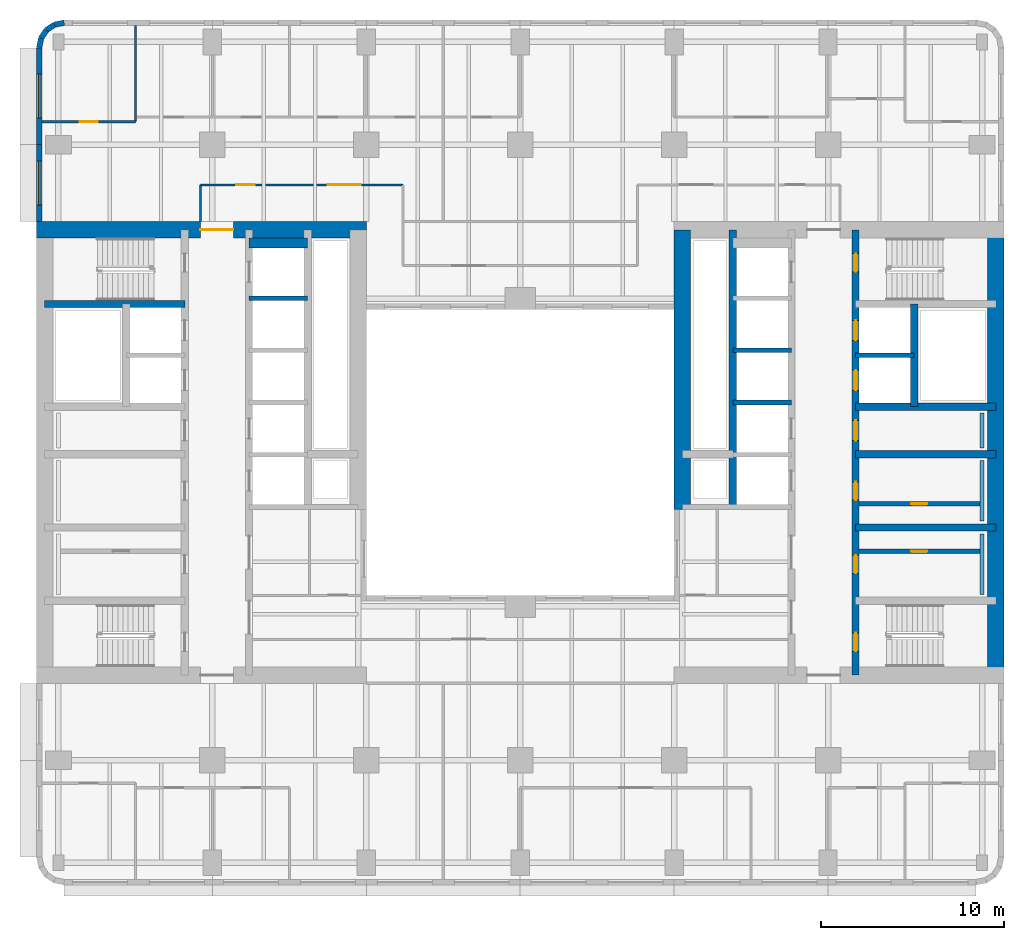
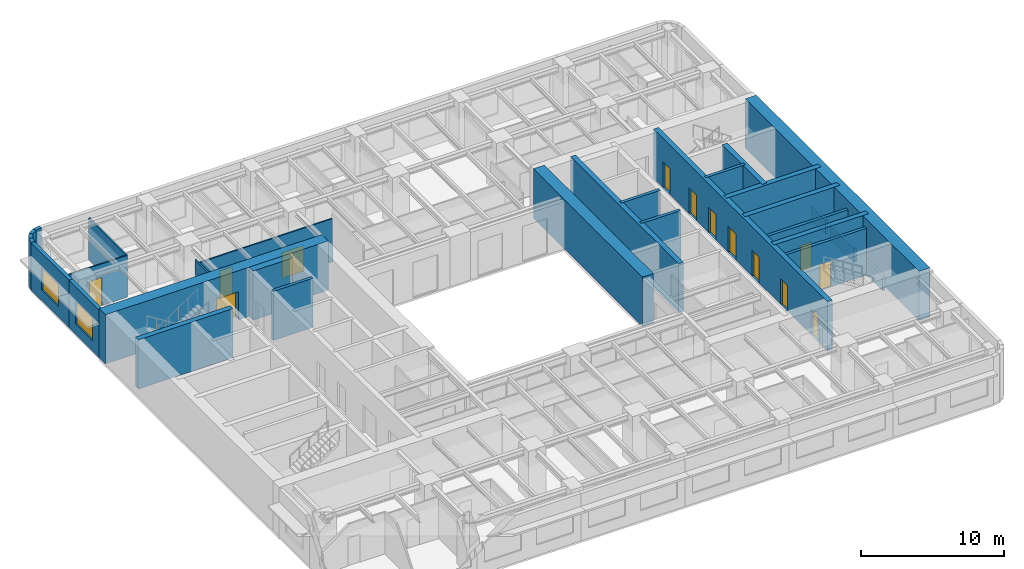
# One storey, part 6 of 11: 30 walls, 13 doors, 2 windows, 15 openings.
"""IFC4 building model written with IfcOpenShell, lengths in metres."""

import ifcopenshell
import ifcopenshell.guid

model = None  # the IFC model being written
_history = None  # IfcOwnerHistory: only IFC2X3 demands one
_inside = {}  # id of a spatial element -> (the spatial element, [elements in it])
_under = {}  # id of a project, library or spatial element -> (it, [spatial elements below it])
_declared = {}  # id of a project -> (the project, [libraries it declares])
_typed = {}  # id of a type object -> (the type object, [elements of that type])
_made_of = {}  # id of a material, layer set ... -> (it, [elements and type objects made of it])


def new_model(schema):
    """Start an empty IFC model of exactly this schema.

    Asked for "IFC4X3", IfcOpenShell would pick the latest addendum, in which some entities
    have other attributes; the version numbers below select the first issue.
    IFC2X3 requires an IfcOwnerHistory on every rooted entity: one is made here for all.
    """
    global model, _history
    if schema == "IFC4X3":
        model = ifcopenshell.file(schema_version=(4, 3, 0, 0))
    else:
        model = ifcopenshell.file(schema=schema)
    _inside.clear()
    _under.clear()
    _declared.clear()
    _typed.clear()
    _made_of.clear()
    _history = None
    if model.schema == "IFC2X3":
        org = make("IfcOrganization", Name="unknown")
        user = make(
            "IfcPersonAndOrganization",
            ThePerson=make("IfcPerson", FamilyName="unknown"),
            TheOrganization=org,
        )
        app = make(
            "IfcApplication",
            ApplicationDeveloper=org,
            Version="unknown",
            ApplicationFullName="unknown",
            ApplicationIdentifier="unknown",
        )
        _history = make(
            "IfcOwnerHistory",
            OwningUser=user,
            OwningApplication=app,
            ChangeAction="ADDED",
            CreationDate=0,
        )
    return model


def make(cls, **values):
    """One entity of the class cls with the attributes given. An attribute that is None is left unset."""
    return model.create_entity(
        cls, **{name: value for name, value in values.items() if value is not None}
    )


def rooted(cls, **values):
    """An entity with a GlobalId (a new one), such as an element, a storey or a relation."""
    return make(cls, GlobalId=ifcopenshell.guid.new(), OwnerHistory=_history, **values)


def si_unit(unit_type, name, prefix=None):
    """IfcSIUnit, for example si_unit("LENGTHUNIT", "METRE", prefix="MILLI")."""
    return make("IfcSIUnit", UnitType=unit_type, Prefix=prefix, Name=name)


def assignment(units):
    """IfcUnitAssignment: the units of a project."""
    return None if units is None else make("IfcUnitAssignment", Units=units)


def point(xyz):
    """IfcCartesianPoint."""
    return None if xyz is None else make("IfcCartesianPoint", Coordinates=xyz)


def direction(xyz):
    """IfcDirection."""
    return None if xyz is None else make("IfcDirection", DirectionRatios=xyz)


def frame(location, z_axis=None, x_axis=None):
    """IfcAxis2Placement3D, a coordinate frame: its origin and axes. An axis left out is left unset."""
    return make(
        "IfcAxis2Placement3D",
        Location=point(location),
        Axis=direction(z_axis),
        RefDirection=direction(x_axis),
    )


def frame_2d(location, x_axis=None):
    """IfcAxis2Placement2D, a coordinate frame in the plane: its origin and x axis."""
    return make(
        "IfcAxis2Placement2D", Location=point(location), RefDirection=direction(x_axis)
    )


def origin():
    """The frame at (0, 0, 0) with its axes left unset."""
    return frame((0.0, 0.0, 0.0))


def place(relative_to, where):
    """IfcLocalPlacement: puts the frame where relative to a parent placement (None: the world)."""
    return make(
        "IfcLocalPlacement", PlacementRelTo=relative_to, RelativePlacement=where
    )


def context(
    kind, dimensions, precision=None, world=None, true_north=None, identifier=None
):
    """IfcGeometricRepresentationContext, for example the 3D "Model" context."""
    return make(
        "IfcGeometricRepresentationContext",
        ContextIdentifier=identifier,
        ContextType=kind,
        CoordinateSpaceDimension=dimensions,
        Precision=precision,
        WorldCoordinateSystem=world,
        TrueNorth=true_north,
    )


def subcontext(parent, identifier, kind, view, scale=None):
    """IfcGeometricRepresentationSubContext, for example "Body" below "Model"."""
    return make(
        "IfcGeometricRepresentationSubContext",
        ContextIdentifier=identifier,
        ContextType=kind,
        ParentContext=parent,
        TargetScale=scale,
        TargetView=view,
    )


def project(units=None, contexts=None):
    """IfcProject with its units and contexts."""
    return rooted(
        "IfcProject",
        Name="project",
        RepresentationContexts=contexts,
        UnitsInContext=assignment(units),
    )


def spatial(cls, under=None, at=None, **own):
    """A site, building, storey or space (cls), placed at a placement, below another one or the project."""
    s = rooted(cls, ObjectPlacement=at, **own)
    if under is not None:
        _under.setdefault(under.id(), (under, []))[1].append(s)
    return s


def profile(cls, at=None, kind="AREA", **sizes):
    """A parametric profile (cls). Its sizes go by their IFC names, for example OverallWidth=200.0."""
    return make(cls, ProfileType=kind, Position=at, **sizes)


def rectangle(**sizes):
    """IfcRectangleProfileDef."""
    return profile("IfcRectangleProfileDef", **sizes)


def extrude(swept, where, along, depth):
    """IfcExtrudedAreaSolid: the profile swept, set in the frame where, extruded along a direction by depth."""
    return make(
        "IfcExtrudedAreaSolid",
        SweptArea=swept,
        Position=where,
        ExtrudedDirection=direction(along),
        Depth=depth,
    )


def shape(context_of_items, identifier, shape_type, items):
    """IfcShapeRepresentation: the items that make up one representation, for example the "Body"."""
    return make(
        "IfcShapeRepresentation",
        ContextOfItems=context_of_items,
        RepresentationIdentifier=identifier,
        RepresentationType=shape_type,
        Items=items,
    )


def material(Name=None, Category=None):
    """IfcMaterial."""
    return make("IfcMaterial", Name=Name, Category=Category)


def layer(
    of_material, thickness, ventilated=None, Name=None, Category=None, Priority=None
):
    """IfcMaterialLayer: one layer of a wall or slab, of a material (None: an air gap)."""
    return make(
        "IfcMaterialLayer",
        Material=of_material,
        LayerThickness=thickness,
        IsVentilated=ventilated,
        Name=Name,
        Category=Category,
        Priority=Priority,
    )


def layer_set(layers, Name=None):
    """IfcMaterialLayerSet."""
    return make("IfcMaterialLayerSet", MaterialLayers=layers, LayerSetName=Name)


def made_of(thing, what):
    """Note that an element or type object is made of a material, layer set ...; save() writes the relation."""
    if what is not None:
        _made_of.setdefault(what.id(), (what, []))[1].append(thing)
    return thing


def type_object(cls, material=None, **own):
    """A type object (cls), such as IfcWallType, which elements share."""
    return made_of(rooted(cls, **own), material)


def element(
    cls,
    number,
    at=None,
    inside=None,
    cuts=None,
    type_object=None,
    material=None,
    context=None,
    identifier="Body",
    shape_type=None,
    held_by="IfcProductDefinitionShape",
    body=None,
    shapes=None,
    **own,
):
    """One element of the class cls, such as IfcWall. Its Tag is "e" and its number.

    at: its placement. inside: the storey or other place that contains it. cuts: it is an
    opening in that element (IfcRelVoidsElement). A single representation is given by context,
    identifier, shape_type and body (its items); several are given by shapes. held_by: the class
    of the entity that holds the representations. save() writes the other relations.
    """
    e = rooted(cls, Tag="e%d" % number, ObjectPlacement=at, **own)
    if body is not None:
        shapes = [shape(context, identifier, shape_type, body)]
    if shapes is not None:
        e.Representation = make(held_by, Representations=shapes)
    if inside is not None:
        _inside.setdefault(inside.id(), (inside, []))[1].append(e)
    if cuts is not None:
        rooted(
            "IfcRelVoidsElement", RelatingBuildingElement=cuts, RelatedOpeningElement=e
        )
    if type_object is not None:
        _typed.setdefault(type_object.id(), (type_object, []))[1].append(e)
    return made_of(e, material)


def fill(opening, filler):
    """IfcRelFillsElement: the door or window that sits in an opening."""
    return rooted(
        "IfcRelFillsElement",
        RelatingOpeningElement=opening,
        RelatedBuildingElement=filler,
    )


def aggregate(whole, parts):
    """IfcRelAggregates: a whole, such as a stair, and the parts it consists of."""
    return rooted("IfcRelAggregates", RelatingObject=whole, RelatedObjects=parts)


def save(model, path):
    """Write the relations noted so far, then the file.

    IfcRelAggregates (storeys below a building ...), IfcRelContainedInSpatialStructure (elements
    in a storey), IfcRelDefinesByType, IfcRelAssociatesMaterial and IfcRelDeclares: one each for
    every whole, place, type object, material and project.
    """
    for whole, parts in _under.values():
        aggregate(whole, parts)
    for where, things in _inside.values():
        rooted(
            "IfcRelContainedInSpatialStructure",
            RelatedElements=things,
            RelatingStructure=where,
        )
    for kind, things in _typed.values():
        rooted("IfcRelDefinesByType", RelatedObjects=things, RelatingType=kind)
    for what, things in _made_of.values():
        rooted("IfcRelAssociatesMaterial", RelatedObjects=things, RelatingMaterial=what)
    for by, libraries in _declared.values():
        rooted("IfcRelDeclares", RelatingContext=by, RelatedDefinitions=libraries)
    model.write(path)


model = new_model("IFC4")

# Units and contexts
model_context = context("Model", 3, precision=1e-05, world=origin(), true_north=direction((0.0, 1.0)))
body_context = subcontext(model_context, "Body", "Model", "MODEL_VIEW")
ifc_project = project(units=[si_unit("LENGTHUNIT", "METRE"), si_unit("AREAUNIT", "SQUARE_METRE"), si_unit("VOLUMEUNIT", "CUBIC_METRE"), si_unit("PLANEANGLEUNIT", "RADIAN"), si_unit("MASSUNIT", "GRAM", prefix="KILO")], contexts=[model_context])

# Site, building, storey
site_placement = place(None, origin())
site = spatial("IfcSite", under=ifc_project, at=site_placement, CompositionType="ELEMENT")
building_placement = place(site_placement, origin())
building = spatial("IfcBuilding", under=site, at=building_placement, Name="Claustro Exchange Tower", CompositionType="ELEMENT")
storey_placement = place(building_placement, frame((0.0, 0.0, 142.800048828125)))
storey = spatial("IfcBuildingStorey", under=building, at=storey_placement, Name="L32", CompositionType="ELEMENT", Elevation=142.800048828125)

# Wall, opening, door
ifc_material_1 = material(Name="Laminated glass in aluminium frame", Category="aluminium")
ifc_layer_1 = layer(ifc_material_1, 0.1201171875)
ifc_layer_set_1 = layer_set([ifc_layer_1], Name="Laminated glass in aluminium frame")
wall_type_1 = type_object("IfcWallType", Name="P2 120 glazed partition", PredefinedType="PARTITIONING", material=ifc_layer_set_1)
wall_1_placement = place(storey_placement, frame((-0.902099609375, 43.25, 0.0), z_axis=(0.0, 0.0, 1.0), x_axis=(1.0, 0.0, 0.0)))
wall_1 = element("IfcWall", 1, at=wall_1_placement, inside=storey, type_object=wall_type_1, Name="Partition P2 L32", PredefinedType="PARTITIONING", context=body_context, shape_type="SweptSolid", body=[
    extrude(rectangle(XDim=5.10205078125, YDim=0.1201171875, at=frame_2d((2.551025390625, 0.0))), origin(), (0.0, 0.0, 1.0), 3.56005859375),
])
opening_1_placement = place(wall_1_placement, frame((2.052001953125, 0.0, 0.0)))
opening_1 = element("IfcOpeningElement", 2, at=opening_1_placement, cuts=wall_1, Name="Opening D7", PredefinedType="OPENING", context=body_context, shape_type="SweptSolid", body=[
    extrude(rectangle(XDim=1.0, YDim=2.39990234375, at=frame_2d((0.5, 1.199951171875))), frame((0.0, 0.070068359375, 0.0), z_axis=(0.0, -1.0, 0.0), x_axis=(1.0, 0.0, 0.0)), (0.0, 0.0, 1.0), 0.14013671875),
])
ifc_material_2 = material(Name="Glass door in aluminium frame", Category="aluminium")
door_type_1 = type_object("IfcDoorType", Name="D7 1000 x 2400 glazed door", OperationType="SINGLE_SWING_LEFT", PredefinedType="DOOR", material=ifc_material_2)
door_1_placement = place(opening_1_placement, origin())
door_1 = element("IfcDoor", 3, at=door_1_placement, inside=storey, type_object=door_type_1, Name="Door D7 L32", OperationType="SINGLE_SWING_RIGHT", OverallHeight=2.39990234375, OverallWidth=1.0, PredefinedType="DOOR", context=body_context, shape_type="SweptSolid", body=[
    extrude(rectangle(XDim=1.0, YDim=2.39990234375, at=frame_2d((0.5, 1.199951171875))), frame((0.0, 0.02490234375, 0.0), z_axis=(0.0, -1.0, 0.0), x_axis=(1.0, 0.0, 0.0)), (0.0, 0.0, 1.0), 0.050048828125),
])
fill(opening_1, door_1)

# Wall
wall_2_placement = place(storey_placement, frame((4.199951171875, 43.25, 0.0), z_axis=(0.0, 0.0, 1.0), x_axis=(0.0, 1.0, 0.0)))
element("IfcWall", 4, at=wall_2_placement, inside=storey, type_object=wall_type_1, Name="Partition P2 L32", PredefinedType="PARTITIONING", context=body_context, shape_type="SweptSolid", body=[
    extrude(rectangle(XDim=5.251953125, YDim=0.1201171875, at=frame_2d((2.6259765625, 0.0))), origin(), (0.0, 0.0, 1.0), 3.56005859375),
])

# Wall, openings, doors
wall_3_placement = place(storey_placement, frame((7.75, 39.800048828125, 0.0), z_axis=(0.0, 0.0, 1.0), x_axis=(1.0, 0.0, 0.0)))
wall_3 = element("IfcWall", 5, at=wall_3_placement, inside=storey, type_object=wall_type_1, Name="Partition P2 L32", PredefinedType="PARTITIONING", context=body_context, shape_type="SweptSolid", body=[
    extrude(rectangle(XDim=11.050048828125, YDim=0.1201171875, at=frame_2d((5.52490234375, 0.0))), origin(), (0.0, 0.0, 1.0), 3.68994140625),
])
opening_2_placement = place(wall_3_placement, frame((1.949951171875, 0.0, 0.0)))
opening_2 = element("IfcOpeningElement", 6, at=opening_2_placement, cuts=wall_3, Name="Opening D7", PredefinedType="OPENING", context=body_context, shape_type="SweptSolid", body=[
    extrude(rectangle(XDim=1.0, YDim=2.39990234375, at=frame_2d((0.5, 1.199951171875))), frame((0.0, 0.070068359375, 0.0), z_axis=(0.0, -1.0, 0.0), x_axis=(1.0, 0.0, 0.0)), (0.0, 0.0, 1.0), 0.14013671875),
])
opening_3_placement = place(wall_3_placement, frame((6.949951171875, 0.0, 0.0)))
opening_3 = element("IfcOpeningElement", 7, at=opening_3_placement, cuts=wall_3, Name="Opening D2", PredefinedType="OPENING", context=body_context, shape_type="SweptSolid", body=[
    extrude(rectangle(XDim=1.800048828125, YDim=2.199951171875, at=frame_2d((0.89990234375, 1.10009765625))), frame((0.0, 0.070068359375, 0.0), z_axis=(0.0, -1.0, 0.0), x_axis=(1.0, 0.0, 0.0)), (0.0, 0.0, 1.0), 0.14013671875),
])
ifc_material_3 = material(Name="Timber door, oak veneer", Category="wood")
door_type_2 = type_object("IfcDoorType", Name="D2 1800 x 2200 double door", OperationType="DOUBLE_DOOR_SINGLE_SWING", PredefinedType="DOOR", material=ifc_material_3)
door_2_placement = place(opening_3_placement, origin())
door_2 = element("IfcDoor", 8, at=door_2_placement, inside=storey, type_object=door_type_2, Name="Double door D2 L32", OperationType="DOUBLE_DOOR_SINGLE_SWING", OverallHeight=2.199951171875, OverallWidth=1.800048828125, PredefinedType="DOOR", context=body_context, shape_type="SweptSolid", body=[
    extrude(rectangle(XDim=1.800048828125, YDim=2.199951171875, at=frame_2d((0.89990234375, 1.10009765625))), frame((0.0, 0.02490234375, 0.0), z_axis=(0.0, -1.0, 0.0), x_axis=(1.0, 0.0, 0.0)), (0.0, 0.0, 1.0), 0.050048828125),
])
fill(opening_3, door_2)
door_3_placement = place(opening_2_placement, origin())
door_3 = element("IfcDoor", 9, at=door_3_placement, inside=storey, type_object=door_type_1, Name="Door D7 L32", OperationType="SINGLE_SWING_LEFT", OverallHeight=2.39990234375, OverallWidth=1.0, PredefinedType="DOOR", context=body_context, shape_type="SweptSolid", body=[
    extrude(rectangle(XDim=1.0, YDim=2.39990234375, at=frame_2d((0.5, 1.199951171875))), frame((0.0, 0.02490234375, 0.0), z_axis=(0.0, -1.0, 0.0), x_axis=(1.0, 0.0, 0.0)), (0.0, 0.0, 1.0), 0.050048828125),
])
fill(opening_2, door_3)

# Wall
wall_4_placement = place(storey_placement, frame((7.75, 37.800048828125, 0.0), z_axis=(0.0, 0.0, 1.0), x_axis=(0.0, 1.0, 0.0)))
element("IfcWall", 10, at=wall_4_placement, inside=storey, type_object=wall_type_1, Name="Partition P2 L32", PredefinedType="PARTITIONING", context=body_context, shape_type="SweptSolid", body=[
    extrude(rectangle(XDim=2.0, YDim=0.1201171875, at=frame_2d((1.0, 0.0))), origin(), (0.0, 0.0, 1.0), 4.050048828125),
])

# Wall, opening, door
ifc_material_4 = material(Name="Concrete blockwork, rendered", Category="masonry")
ifc_layer_2 = layer(ifc_material_4, 0.25)
ifc_layer_set_2 = layer_set([ifc_layer_2], Name="Concrete blockwork, rendered")
wall_type_2 = type_object("IfcWallType", Name="P4 250 blockwork wall", PredefinedType="PARTITIONING", material=ifc_layer_set_2)
wall_5_placement = place(storey_placement, frame((43.699951171875, 22.39990234375, 0.0), z_axis=(0.0, 0.0, 1.0), x_axis=(1.0, 0.0, 0.0)))
wall_5 = element("IfcWall", 11, at=wall_5_placement, inside=storey, type_object=wall_type_2, Name="Partition P4 L32", PredefinedType="PARTITIONING", context=body_context, shape_type="SweptSolid", body=[
    extrude(rectangle(XDim=6.60009765625, YDim=0.25, at=frame_2d((3.300048828125, 0.0))), origin(), (0.0, 0.0, 1.0), 4.0),
])
opening_4_placement = place(wall_5_placement, frame((2.824951171875, 0.0, 0.0)))
opening_4 = element("IfcOpeningElement", 12, at=opening_4_placement, cuts=wall_5, Name="Opening D5", PredefinedType="OPENING", context=body_context, shape_type="SweptSolid", body=[
    extrude(rectangle(XDim=0.89990234375, YDim=2.199951171875, at=frame_2d((0.449951171875, 1.10009765625))), frame((0.0, 0.135009765625, 0.0), z_axis=(0.0, -1.0, 0.0), x_axis=(1.0, 0.0, 0.0)), (0.0, 0.0, 1.0), 0.27001953125),
])
ifc_material_5 = material(Name="Steel door, painted", Category="steel")
door_type_3 = type_object("IfcDoorType", Name="D5 900 x 2200 store door", OperationType="SINGLE_SWING_LEFT", PredefinedType="DOOR", material=ifc_material_5)
door_4_placement = place(opening_4_placement, frame((0.89990234375, 0.0, 0.0), z_axis=(0.0, 0.0, 1.0), x_axis=(-1.0, 0.0, 0.0)))
door_4 = element("IfcDoor", 13, at=door_4_placement, inside=storey, type_object=door_type_3, Name="Store door D5 L32", OperationType="SINGLE_SWING_LEFT", OverallHeight=2.199951171875, OverallWidth=0.89990234375, PredefinedType="DOOR", context=body_context, shape_type="SweptSolid", body=[
    extrude(rectangle(XDim=0.89990234375, YDim=2.199951171875, at=frame_2d((0.449951171875, 1.10009765625))), frame((0.0, 0.02490234375, 0.0), z_axis=(0.0, -1.0, 0.0), x_axis=(1.0, 0.0, 0.0)), (0.0, 0.0, 1.0), 0.050048828125),
])
fill(opening_4, door_4)

wall_6_placement = place(storey_placement, frame((43.699951171875, 19.800048828125, 0.0), z_axis=(0.0, 0.0, 1.0), x_axis=(1.0, 0.0, 0.0)))
wall_6 = element("IfcWall", 14, at=wall_6_placement, inside=storey, type_object=wall_type_2, Name="Partition P4 L32", PredefinedType="PARTITIONING", context=body_context, shape_type="SweptSolid", body=[
    extrude(rectangle(XDim=6.60009765625, YDim=0.25, at=frame_2d((3.300048828125, 0.0))), origin(), (0.0, 0.0, 1.0), 4.0),
])
opening_5_placement = place(wall_6_placement, frame((2.824951171875, 0.0, 0.0)))
opening_5 = element("IfcOpeningElement", 15, at=opening_5_placement, cuts=wall_6, Name="Opening D5", PredefinedType="OPENING", context=body_context, shape_type="SweptSolid", body=[
    extrude(rectangle(XDim=0.89990234375, YDim=2.199951171875, at=frame_2d((0.449951171875, 1.10009765625))), frame((0.0, 0.135009765625, 0.0), z_axis=(0.0, -1.0, 0.0), x_axis=(1.0, 0.0, 0.0)), (0.0, 0.0, 1.0), 0.27001953125),
])
door_5_placement = place(opening_5_placement, origin())
door_5 = element("IfcDoor", 16, at=door_5_placement, inside=storey, type_object=door_type_3, Name="Store door D5 L32", OperationType="SINGLE_SWING_RIGHT", OverallHeight=2.199951171875, OverallWidth=0.89990234375, PredefinedType="DOOR", context=body_context, shape_type="SweptSolid", body=[
    extrude(rectangle(XDim=0.89990234375, YDim=2.199951171875, at=frame_2d((0.449951171875, 1.10009765625))), frame((0.0, 0.02490234375, 0.0), z_axis=(0.0, -1.0, 0.0), x_axis=(1.0, 0.0, 0.0)), (0.0, 0.0, 1.0), 0.050048828125),
])
fill(opening_5, door_5)

# Wall, opening, window
ifc_material_6 = material(Name="Concrete HA-40 (C40/50), precast, white cement, acid-etched", Category="concrete")
ifc_layer_3 = layer(ifc_material_6, 0.300048828125)
ifc_layer_set_3 = layer_set([ifc_layer_3], Name="Concrete HA-40 (C40/50), precast, white cement, acid-etched")
wall_type_3 = type_object("IfcWallType", Name="PC1 300 precast concrete pier panel", PredefinedType="SOLIDWALL", material=ifc_layer_set_3)
wall_7_placement = place(storey_placement, frame((-1.050048828125, 37.800048828125, 0.0), z_axis=(0.0, 0.0, 1.0), x_axis=(0.0, 1.0, 0.0)))
wall_7 = element("IfcWall", 17, at=wall_7_placement, inside=storey, type_object=wall_type_3, Name="Precast pier panel PC1 L32", PredefinedType="SOLIDWALL", context=body_context, shape_type="SweptSolid", body=[
    extrude(rectangle(XDim=4.199951171875, YDim=0.300048828125, at=frame_2d((2.10009765625, 0.0))), origin(), (0.0, 0.0, 1.0), 4.050048828125),
])
opening_6_placement = place(wall_7_placement, frame((0.89990234375, 0.0, 0.89990234375)))
opening_6 = element("IfcOpeningElement", 18, at=opening_6_placement, cuts=wall_7, Name="Opening W2", PredefinedType="OPENING", context=body_context, shape_type="SweptSolid", body=[
    extrude(rectangle(XDim=2.39990234375, YDim=1.89990234375, at=frame_2d((1.199951171875, 0.949951171875))), frame((0.0, 0.159912109375, 0.0), z_axis=(0.0, -1.0, 0.0), x_axis=(1.0, 0.0, 0.0)), (0.0, 0.0, 1.0), 0.320068359375),
])
ifc_material_7 = material(Name="Aluminium frame, clear double glazing", Category="aluminium")
window_type = type_object("IfcWindowType", Name="W2 2400 x 1900 window", PartitioningType="SINGLE_PANEL", PredefinedType="WINDOW", material=ifc_material_7)
window_1_placement = place(opening_6_placement, origin())
window_1 = element("IfcWindow", 19, at=window_1_placement, inside=storey, type_object=window_type, Name="Window W2 L32", OverallHeight=1.89990234375, OverallWidth=2.39990234375, PartitioningType="SINGLE_PANEL", PredefinedType="WINDOW", context=body_context, shape_type="SweptSolid", body=[
    extrude(rectangle(XDim=2.39990234375, YDim=1.89990234375, at=frame_2d((1.199951171875, 0.949951171875))), frame((0.0, 0.030029296875, 0.0), z_axis=(0.0, -1.0, 0.0), x_axis=(1.0, 0.0, 0.0)), (0.0, 0.0, 1.0), 0.06005859375),
])
fill(opening_6, window_1)

wall_8_placement = place(storey_placement, frame((-1.050048828125, 42.0, 0.0), z_axis=(0.0, 0.0, 1.0), x_axis=(0.0, 1.0, 0.0)))
wall_8 = element("IfcWall", 20, at=wall_8_placement, inside=storey, type_object=wall_type_3, Name="Precast pier panel PC1 L32", PredefinedType="SOLIDWALL", context=body_context, shape_type="SweptSolid", body=[
    extrude(rectangle(XDim=5.28515625, YDim=0.300048828125, at=frame_2d((2.642578125, 0.0))), origin(), (0.0, 0.0, 1.0), 4.050048828125),
])
opening_7_placement = place(wall_8_placement, frame((1.442626953125, 0.0, 0.89990234375)))
opening_7 = element("IfcOpeningElement", 21, at=opening_7_placement, cuts=wall_8, Name="Opening W2", PredefinedType="OPENING", context=body_context, shape_type="SweptSolid", body=[
    extrude(rectangle(XDim=2.39990234375, YDim=1.89990234375, at=frame_2d((1.199951171875, 0.949951171875))), frame((0.0, 0.159912109375, 0.0), z_axis=(0.0, -1.0, 0.0), x_axis=(1.0, 0.0, 0.0)), (0.0, 0.0, 1.0), 0.320068359375),
])
window_2_placement = place(opening_7_placement, origin())
window_2 = element("IfcWindow", 22, at=window_2_placement, inside=storey, type_object=window_type, Name="Window W2 L32", OverallHeight=1.89990234375, OverallWidth=2.39990234375, PartitioningType="SINGLE_PANEL", PredefinedType="WINDOW", context=body_context, shape_type="SweptSolid", body=[
    extrude(rectangle(XDim=2.39990234375, YDim=1.89990234375, at=frame_2d((1.199951171875, 0.949951171875))), frame((0.0, 0.030029296875, 0.0), z_axis=(0.0, -1.0, 0.0), x_axis=(1.0, 0.0, 0.0)), (0.0, 0.0, 1.0), 0.06005859375),
])
fill(opening_7, window_2)

# Walls
wall_9_placement = place(storey_placement, frame((-1.050048828125, 47.28515625, 0.0), z_axis=(0.0, 0.0, 1.0), x_axis=(0.195073962632, 0.980788534345, 0.0)))
element("IfcWall", 23, at=wall_9_placement, inside=storey, type_object=wall_type_3, Name="Precast pier panel PC1 L32", PredefinedType="SOLIDWALL", context=body_context, shape_type="SweptSolid", body=[
    extrude(rectangle(XDim=0.540771484375, YDim=0.300048828125, at=frame_2d((0.2705078125, 0.0))), origin(), (0.0, 0.0, 1.0), 4.050048828125),
])
wall_10_placement = place(storey_placement, frame((-0.944580078125, 47.8154296875, 0.0), z_axis=(0.0, 0.0, 1.0), x_axis=(0.55534295404, 0.831621430339, 0.0)))
element("IfcWall", 24, at=wall_10_placement, inside=storey, type_object=wall_type_3, Name="Precast pier panel PC1 L32", PredefinedType="SOLIDWALL", context=body_context, shape_type="SweptSolid", body=[
    extrude(rectangle(XDim=0.52587890625, YDim=0.300048828125, at=frame_2d((0.262939453125, 0.0))), origin(), (0.0, 0.0, 1.0), 4.050048828125),
])
wall_11_placement = place(storey_placement, frame((-0.652587890625, 48.252685546875, 0.0), z_axis=(0.0, 0.0, 1.0), x_axis=(0.831692711774, 0.555236195849, 0.0)))
element("IfcWall", 25, at=wall_11_placement, inside=storey, type_object=wall_type_3, Name="Precast pier panel PC1 L32", PredefinedType="SOLIDWALL", context=body_context, shape_type="SweptSolid", body=[
    extrude(rectangle(XDim=0.525390625, YDim=0.300048828125, at=frame_2d((0.2626953125, 0.0))), origin(), (0.0, 0.0, 1.0), 4.050048828125),
])
wall_12_placement = place(storey_placement, frame((-0.215576171875, 48.54443359375, 0.0), z_axis=(0.0, 0.0, 1.0), x_axis=(0.980788534345, 0.195073962632, 0.0)))
element("IfcWall", 26, at=wall_12_placement, inside=storey, type_object=wall_type_3, Name="Precast pier panel PC1 L32", PredefinedType="SOLIDWALL", context=body_context, shape_type="SweptSolid", body=[
    extrude(rectangle(XDim=0.540771484375, YDim=0.300048828125, at=frame_2d((0.2705078125, 0.0))), origin(), (0.0, 0.0, 1.0), 4.050048828125),
])
ifc_material_8 = material(Name="Gypsum board on steel studs, tiled", Category="steel")
ifc_layer_4 = layer(ifc_material_8, 0.199951171875)
ifc_layer_set_4 = layer_set([ifc_layer_4], Name="Gypsum board on steel studs, tiled")
wall_type_4 = type_object("IfcWallType", Name="PW1 200 WC duct wall", PredefinedType="PLUMBINGWALL", material=ifc_layer_set_4)
for number, where, z_axis, x_axis, name in (
    (27, (50.39990234375, 17.449951171875, 0.0), (0.0, 0.0, 1.0), (0.0, 1.0, 0.0), "WC duct wall PW1 L32"),
    (28, (50.39990234375, 21.449951171875, 0.0), (0.0, 0.0, 1.0), (0.0, 1.0, 0.0), "WC duct wall PW1 L32"),
):
    element("IfcWall", number, at=place(storey_placement, frame(where, z_axis=z_axis, x_axis=x_axis)), inside=storey, type_object=wall_type_4, Name=name, PredefinedType="PLUMBINGWALL", context=body_context, shape_type="SweptSolid", body=[
        extrude(rectangle(XDim=3.300048828125, YDim=0.199951171875, at=frame_2d((1.64990234375, 0.0))), origin(), (0.0, 0.0, 1.0), 1.199951171875),
    ])
wall_13_placement = place(storey_placement, frame((50.39990234375, 25.449951171875, 0.0), z_axis=(0.0, 0.0, 1.0), x_axis=(0.0, 1.0, 0.0)))
element("IfcWall", 29, at=wall_13_placement, inside=storey, type_object=wall_type_4, Name="WC duct wall PW1 L32", PredefinedType="PLUMBINGWALL", context=body_context, shape_type="SweptSolid", body=[
    extrude(rectangle(XDim=1.900146484375, YDim=0.199951171875, at=frame_2d((0.9501953125, 0.0))), origin(), (0.0, 0.0, 1.0), 1.199951171875),
])

# Wall, opening, door
ifc_material_9 = material(Name="Concrete HA-70 (C70/85)", Category="concrete")
ifc_layer_5 = layer(ifc_material_9, 0.89990234375)
ifc_layer_set_5 = layer_set([ifc_layer_5], Name="Concrete HA-70 (C70/85)")
wall_type_5 = type_object("IfcWallType", Name="SW1 900 core shear wall", PredefinedType="SHEAR", material=ifc_layer_set_5)
wall_14_placement = place(storey_placement, frame((-1.199951171875, 37.35009765625, 0.0), z_axis=(0.0, 0.0, 1.0), x_axis=(1.0, 0.0, 0.0)))
wall_14 = element("IfcWall", 30, at=wall_14_placement, inside=storey, type_object=wall_type_5, Name="Core wall SW1 W core N face L32", PredefinedType="SHEAR", context=body_context, shape_type="SweptSolid", body=[
    extrude(rectangle(XDim=18.0, YDim=0.89990234375, at=frame_2d((9.0, 0.0))), origin(), (0.0, 0.0, 1.0), 4.199951171875),
])
opening_8_placement = place(wall_14_placement, frame((8.949951171875, 0.0, 0.0)))
opening_8 = element("IfcOpeningElement", 31, at=opening_8_placement, cuts=wall_14, Name="Opening D3", PredefinedType="OPENING", context=body_context, shape_type="SweptSolid", body=[
    extrude(rectangle(XDim=1.800048828125, YDim=2.39990234375, at=frame_2d((0.89990234375, 1.199951171875))), frame((0.0, 0.4599609375, 0.0), z_axis=(0.0, -1.0, 0.0), x_axis=(1.0, 0.0, 0.0)), (0.0, 0.0, 1.0), 0.919921875),
])
ifc_material_10 = material(Name="Steel fire door, painted", Category="steel")
door_type_4 = type_object("IfcDoorType", Name="D3 1800 x 2400 fire-rated lobby double door", OperationType="DOUBLE_DOOR_SINGLE_SWING", PredefinedType="DOOR", material=ifc_material_10)
door_6_placement = place(opening_8_placement, frame((1.800048828125, 0.0, 0.0), z_axis=(0.0, 0.0, 1.0), x_axis=(-1.0, 0.0, 0.0)))
door_6 = element("IfcDoor", 32, at=door_6_placement, inside=storey, type_object=door_type_4, Name="Lift lobby door D3 L32", OperationType="DOUBLE_DOOR_SINGLE_SWING", OverallHeight=2.39990234375, OverallWidth=1.800048828125, PredefinedType="DOOR", context=body_context, shape_type="SweptSolid", body=[
    extrude(rectangle(XDim=1.800048828125, YDim=2.39990234375, at=frame_2d((0.89990234375, 1.199951171875))), frame((0.0, 0.02490234375, 0.0), z_axis=(0.0, -1.0, 0.0), x_axis=(1.0, 0.0, 0.0)), (0.0, 0.0, 1.0), 0.050048828125),
])
fill(opening_8, door_6)

# Walls
ifc_material_11 = material(Name="Concrete HA-70 (C70/85)", Category="concrete")
ifc_layer_6 = layer(ifc_material_11, 0.89990234375)
ifc_layer_set_6 = layer_set([ifc_layer_6], Name="Concrete HA-70 (C70/85)")
wall_type_6 = type_object("IfcWallType", Name="SW1X 900 exposed core shear wall, board-marked face", PredefinedType="SHEAR", material=ifc_layer_set_6)
wall_15_placement = place(storey_placement, frame((34.050048828125, 22.10009765625, 0.0), z_axis=(0.0, 0.0, 1.0), x_axis=(0.0, 1.0, 0.0)))
element("IfcWall", 33, at=wall_15_placement, inside=storey, type_object=wall_type_6, Name="Core wall SW1X E core W face L32", PredefinedType="SHEAR", context=body_context, shape_type="SweptSolid", body=[
    extrude(rectangle(XDim=15.25, YDim=0.89990234375, at=frame_2d((7.625, 0.0))), origin(), (0.0, 0.0, 1.0), 4.199951171875),
])
wall_16_placement = place(storey_placement, frame((51.14990234375, 13.050048828125, 0.0), z_axis=(0.0, 0.0, 1.0), x_axis=(0.0, 1.0, 0.0)))
element("IfcWall", 34, at=wall_16_placement, inside=storey, type_object=wall_type_6, Name="Core wall SW1X E core E face L32", PredefinedType="SHEAR", context=body_context, shape_type="SweptSolid", body=[
    extrude(rectangle(XDim=24.300048828125, YDim=0.89990234375, at=frame_2d((12.14990234375, 0.0))), origin(), (0.0, 0.0, 1.0), 4.199951171875),
])
ifc_material_12 = material(Name="Concrete HA-50 (C50/60)", Category="concrete")
ifc_layer_7 = layer(ifc_material_12, 0.39990234375)
ifc_layer_set_7 = layer_set([ifc_layer_7], Name="Concrete HA-50 (C50/60)")
wall_type_7 = type_object("IfcWallType", Name="SW4 400 internal core wall", PredefinedType="SHEAR", material=ifc_layer_set_7)
wall_17_placement = place(storey_placement, frame((-0.75, 33.300048828125, 0.0), z_axis=(0.0, 0.0, 1.0), x_axis=(1.0, 0.0, 0.0)))
element("IfcWall", 35, at=wall_17_placement, inside=storey, type_object=wall_type_7, Name="Internal core wall SW4 W core L32", PredefinedType="SHEAR", context=body_context, shape_type="SweptSolid", body=[
    extrude(rectangle(XDim=7.64990234375, YDim=0.39990234375, at=frame_2d((3.824951171875, 0.0))), origin(), (0.0, 0.0, 1.0), 4.199951171875),
])

# Wall, openings, doors
wall_18_placement = place(storey_placement, frame((43.5, 13.050048828125, 0.0), z_axis=(0.0, 0.0, 1.0), x_axis=(0.0, 1.0, 0.0)))
wall_18 = element("IfcWall", 36, at=wall_18_placement, inside=storey, type_object=wall_type_7, Name="Internal core wall SW4 E core L32", PredefinedType="SHEAR", context=body_context, shape_type="SweptSolid", body=[
    extrude(rectangle(XDim=24.300048828125, YDim=0.39990234375, at=frame_2d((12.14990234375, 0.0))), origin(), (0.0, 0.0, 1.0), 4.199951171875),
])
opening_9_placement = place(wall_18_placement, frame((1.300048828125, 0.0, 0.0)))
opening_9 = element("IfcOpeningElement", 37, at=opening_9_placement, cuts=wall_18, Name="Opening D4", PredefinedType="OPENING", context=body_context, shape_type="SweptSolid", body=[
    extrude(rectangle(XDim=1.0, YDim=2.199951171875, at=frame_2d((0.5, 1.10009765625))), frame((0.0, 0.2099609375, 0.0), z_axis=(0.0, -1.0, 0.0), x_axis=(1.0, 0.0, 0.0)), (0.0, 0.0, 1.0), 0.419921875),
])
opening_10_placement = place(wall_18_placement, frame((22.0, 0.0, 0.0)))
opening_10 = element("IfcOpeningElement", 38, at=opening_10_placement, cuts=wall_18, Name="Opening D4", PredefinedType="OPENING", context=body_context, shape_type="SweptSolid", body=[
    extrude(rectangle(XDim=1.0, YDim=2.199951171875, at=frame_2d((0.5, 1.10009765625))), frame((0.0, 0.2099609375, 0.0), z_axis=(0.0, -1.0, 0.0), x_axis=(1.0, 0.0, 0.0)), (0.0, 0.0, 1.0), 0.419921875),
])
opening_11_placement = place(wall_18_placement, frame((5.550048828125, 0.0, 0.0)))
opening_11 = element("IfcOpeningElement", 39, at=opening_11_placement, cuts=wall_18, Name="Opening D1", PredefinedType="OPENING", context=body_context, shape_type="SweptSolid", body=[
    extrude(rectangle(XDim=1.0, YDim=2.199951171875, at=frame_2d((0.5, 1.10009765625))), frame((0.0, 0.2099609375, 0.0), z_axis=(0.0, -1.0, 0.0), x_axis=(1.0, 0.0, 0.0)), (0.0, 0.0, 1.0), 0.419921875),
])
opening_12_placement = place(wall_18_placement, frame((9.550048828125, 0.0, 0.0)))
opening_12 = element("IfcOpeningElement", 40, at=opening_12_placement, cuts=wall_18, Name="Opening D1", PredefinedType="OPENING", context=body_context, shape_type="SweptSolid", body=[
    extrude(rectangle(XDim=1.0, YDim=2.199951171875, at=frame_2d((0.5, 1.10009765625))), frame((0.0, 0.2099609375, 0.0), z_axis=(0.0, -1.0, 0.0), x_axis=(1.0, 0.0, 0.0)), (0.0, 0.0, 1.0), 0.419921875),
])
opening_13_placement = place(wall_18_placement, frame((12.800048828125, 0.0, 0.0)))
opening_13 = element("IfcOpeningElement", 41, at=opening_13_placement, cuts=wall_18, Name="Opening D10", PredefinedType="OPENING", context=body_context, shape_type="SweptSolid", body=[
    extrude(rectangle(XDim=1.10009765625, YDim=2.199951171875, at=frame_2d((0.550048828125, 1.10009765625))), frame((0.0, 0.2099609375, 0.0), z_axis=(0.0, -1.0, 0.0), x_axis=(1.0, 0.0, 0.0)), (0.0, 0.0, 1.0), 0.419921875),
])
opening_14_placement = place(wall_18_placement, frame((15.53759765625, 0.0, 0.0)))
opening_14 = element("IfcOpeningElement", 42, at=opening_14_placement, cuts=wall_18, Name="Opening LD", PredefinedType="OPENING", context=body_context, shape_type="SweptSolid", body=[
    extrude(rectangle(XDim=1.10009765625, YDim=2.199951171875, at=frame_2d((0.550048828125, 1.10009765625))), frame((0.0, 0.2099609375, 0.0), z_axis=(0.0, -1.0, 0.0), x_axis=(1.0, 0.0, 0.0)), (0.0, 0.0, 1.0), 0.419921875),
])
opening_15_placement = place(wall_18_placement, frame((18.262451171875, 0.0, 0.0)))
opening_15 = element("IfcOpeningElement", 43, at=opening_15_placement, cuts=wall_18, Name="Opening LD", PredefinedType="OPENING", context=body_context, shape_type="SweptSolid", body=[
    extrude(rectangle(XDim=1.10009765625, YDim=2.199951171875, at=frame_2d((0.550048828125, 1.10009765625))), frame((0.0, 0.2099609375, 0.0), z_axis=(0.0, -1.0, 0.0), x_axis=(1.0, 0.0, 0.0)), (0.0, 0.0, 1.0), 0.419921875),
])
ifc_material_13 = material(Name="Timber door, oak veneer", Category="wood")
door_type_5 = type_object("IfcDoorType", Name="D1 1000 x 2200 single door", OperationType="SINGLE_SWING_LEFT", PredefinedType="DOOR", material=ifc_material_13)
door_7_placement = place(opening_11_placement, frame((1.0, 0.0, 0.0), z_axis=(0.0, 0.0, 1.0), x_axis=(-1.0, 0.0, 0.0)))
door_7 = element("IfcDoor", 44, at=door_7_placement, inside=storey, type_object=door_type_5, Name="Door D1 L32", OperationType="SINGLE_SWING_LEFT", OverallHeight=2.199951171875, OverallWidth=1.0, PredefinedType="DOOR", context=body_context, shape_type="SweptSolid", body=[
    extrude(rectangle(XDim=1.0, YDim=2.199951171875, at=frame_2d((0.5, 1.10009765625))), frame((0.0, 0.02490234375, 0.0), z_axis=(0.0, -1.0, 0.0), x_axis=(1.0, 0.0, 0.0)), (0.0, 0.0, 1.0), 0.050048828125),
])
fill(opening_11, door_7)
door_8_placement = place(opening_12_placement, frame((1.0, 0.0, 0.0), z_axis=(0.0, 0.0, 1.0), x_axis=(-1.0, 0.0, 0.0)))
door_8 = element("IfcDoor", 45, at=door_8_placement, inside=storey, type_object=door_type_5, Name="Door D1 L32", OperationType="SINGLE_SWING_RIGHT", OverallHeight=2.199951171875, OverallWidth=1.0, PredefinedType="DOOR", context=body_context, shape_type="SweptSolid", body=[
    extrude(rectangle(XDim=1.0, YDim=2.199951171875, at=frame_2d((0.5, 1.10009765625))), frame((0.0, 0.02490234375, 0.0), z_axis=(0.0, -1.0, 0.0), x_axis=(1.0, 0.0, 0.0)), (0.0, 0.0, 1.0), 0.050048828125),
])
fill(opening_12, door_8)
ifc_material_14 = material(Name="Timber door, oak veneer", Category="wood")
door_type_6 = type_object("IfcDoorType", Name="D10 1100 x 2200 accessible WC door", OperationType="SINGLE_SWING_LEFT", PredefinedType="DOOR", material=ifc_material_14)
door_9_placement = place(opening_13_placement, origin())
door_9 = element("IfcDoor", 46, at=door_9_placement, inside=storey, type_object=door_type_6, Name="Accessible WC door D10 L32", OperationType="SINGLE_SWING_RIGHT", OverallHeight=2.199951171875, OverallWidth=1.10009765625, PredefinedType="DOOR", context=body_context, shape_type="SweptSolid", body=[
    extrude(rectangle(XDim=1.10009765625, YDim=2.199951171875, at=frame_2d((0.550048828125, 1.10009765625))), frame((0.0, 0.02490234375, 0.0), z_axis=(0.0, -1.0, 0.0), x_axis=(1.0, 0.0, 0.0)), (0.0, 0.0, 1.0), 0.050048828125),
])
fill(opening_13, door_9)
ifc_material_15 = material(Name="Steel fire door, painted", Category="steel")
door_type_7 = type_object("IfcDoorType", Name="D4 1000 x 2200 fire-rated stair door", OperationType="SINGLE_SWING_LEFT", PredefinedType="DOOR", material=ifc_material_15)
door_10_placement = place(opening_9_placement, frame((1.0, 0.0, 0.0), z_axis=(0.0, 0.0, 1.0), x_axis=(-1.0, 0.0, 0.0)))
door_10 = element("IfcDoor", 47, at=door_10_placement, inside=storey, type_object=door_type_7, Name="Stair door D4 L32", OperationType="SINGLE_SWING_RIGHT", OverallHeight=2.199951171875, OverallWidth=1.0, PredefinedType="DOOR", context=body_context, shape_type="SweptSolid", body=[
    extrude(rectangle(XDim=1.0, YDim=2.199951171875, at=frame_2d((0.5, 1.10009765625))), frame((0.0, 0.02490234375, 0.0), z_axis=(0.0, -1.0, 0.0), x_axis=(1.0, 0.0, 0.0)), (0.0, 0.0, 1.0), 0.050048828125),
])
fill(opening_9, door_10)
door_11_placement = place(opening_10_placement, frame((1.0, 0.0, 0.0), z_axis=(0.0, 0.0, 1.0), x_axis=(-1.0, 0.0, 0.0)))
door_11 = element("IfcDoor", 48, at=door_11_placement, inside=storey, type_object=door_type_7, Name="Stair door D4 L32", OperationType="SINGLE_SWING_LEFT", OverallHeight=2.199951171875, OverallWidth=1.0, PredefinedType="DOOR", context=body_context, shape_type="SweptSolid", body=[
    extrude(rectangle(XDim=1.0, YDim=2.199951171875, at=frame_2d((0.5, 1.10009765625))), frame((0.0, 0.02490234375, 0.0), z_axis=(0.0, -1.0, 0.0), x_axis=(1.0, 0.0, 0.0)), (0.0, 0.0, 1.0), 0.050048828125),
])
fill(opening_10, door_11)
ifc_material_16 = material(Name="Stainless steel sliding door", Category="steel")
door_type_8 = type_object("IfcDoorType", Name="LD 1100 x 2200 lift landing door", OperationType="DOUBLE_DOOR_SLIDING", PredefinedType="DOOR", material=ifc_material_16)
door_12_placement = place(opening_14_placement, origin())
door_12 = element("IfcDoor", 49, at=door_12_placement, inside=storey, type_object=door_type_8, Name="Lift landing door LEE1 LD L32", OperationType="DOUBLE_DOOR_SLIDING", OverallHeight=2.199951171875, OverallWidth=1.10009765625, PredefinedType="DOOR", context=body_context, shape_type="SweptSolid", body=[
    extrude(rectangle(XDim=1.10009765625, YDim=2.199951171875, at=frame_2d((0.550048828125, 1.10009765625))), frame((0.0, 0.02490234375, 0.0), z_axis=(0.0, -1.0, 0.0), x_axis=(1.0, 0.0, 0.0)), (0.0, 0.0, 1.0), 0.050048828125),
])
fill(opening_14, door_12)
door_13_placement = place(opening_15_placement, origin())
door_13 = element("IfcDoor", 50, at=door_13_placement, inside=storey, type_object=door_type_8, Name="Lift landing door LEE2 LD L32", OperationType="DOUBLE_DOOR_SLIDING", OverallHeight=2.199951171875, OverallWidth=1.10009765625, PredefinedType="DOOR", context=body_context, shape_type="SweptSolid", body=[
    extrude(rectangle(XDim=1.10009765625, YDim=2.199951171875, at=frame_2d((0.550048828125, 1.10009765625))), frame((0.0, 0.02490234375, 0.0), z_axis=(0.0, -1.0, 0.0), x_axis=(1.0, 0.0, 0.0)), (0.0, 0.0, 1.0), 0.050048828125),
])
fill(opening_15, door_13)

# Walls
wall_19_placement = place(storey_placement, frame((36.800048828125, 22.22509765625, 0.0), z_axis=(0.0, 0.0, 1.0), x_axis=(0.0, 1.0, 0.0)))
element("IfcWall", 51, at=wall_19_placement, inside=storey, type_object=wall_type_7, Name="Internal core wall SW4 E core L32", PredefinedType="SHEAR", context=body_context, shape_type="SweptSolid", body=[
    extrude(rectangle(XDim=15.125, YDim=0.39990234375, at=frame_2d((7.5625, 0.0))), origin(), (0.0, 0.0, 1.0), 4.199951171875),
])
for number, where, z_axis, x_axis, name in (
    (52, (51.14990234375, 21.10009765625, 0.0), (0.0, 0.0, 1.0), (-1.0, 0.0, 0.0), "Internal core wall SW4 E core L32"),
    (53, (51.14990234375, 25.10009765625, 0.0), (0.0, 0.0, 1.0), (-1.0, 0.0, 0.0), "Internal core wall SW4 E core L32"),
    (54, (51.14990234375, 27.699951171875, 0.0), (0.0, 0.0, 1.0), (-1.0, 0.0, 0.0), "Internal core wall SW4 E core L32"),
):
    element("IfcWall", number, at=place(storey_placement, frame(where, z_axis=z_axis, x_axis=x_axis)), inside=storey, type_object=wall_type_7, Name=name, PredefinedType="SHEAR", context=body_context, shape_type="SweptSolid", body=[
        extrude(rectangle(XDim=7.64990234375, YDim=0.39990234375, at=frame_2d((3.824951171875, 0.0))), origin(), (0.0, 0.0, 1.0), 4.199951171875),
    ])
wall_20_placement = place(storey_placement, frame((46.699951171875, 27.699951171875, 0.0), z_axis=(0.0, 0.0, 1.0), x_axis=(0.0, 1.0, 0.0)))
element("IfcWall", 55, at=wall_20_placement, inside=storey, type_object=wall_type_7, Name="Internal core wall SW4 E core L32", PredefinedType="SHEAR", context=body_context, shape_type="SweptSolid", body=[
    extrude(rectangle(XDim=5.60009765625, YDim=0.39990234375, at=frame_2d((2.800048828125, 0.0))), origin(), (0.0, 0.0, 1.0), 4.199951171875),
])
ifc_material_17 = material(Name="Concrete HA-50 (C50/60)", Category="concrete")
ifc_layer_8 = layer(ifc_material_17, 0.25)
ifc_layer_set_8 = layer_set([ifc_layer_8], Name="Concrete HA-50 (C50/60)")
wall_type_8 = type_object("IfcWallType", Name="SW5 250 lift shaft divider wall", PredefinedType="SHEAR", material=ifc_layer_set_8)
wall_21_placement = place(storey_placement, frame((10.39990234375, 33.625, 0.0), z_axis=(0.0, 0.0, 1.0), x_axis=(1.0, 0.0, 0.0)))
element("IfcWall", 56, at=wall_21_placement, inside=storey, type_object=wall_type_8, Name="Lift shaft wall W core L32", PredefinedType="SHEAR", context=body_context, shape_type="SweptSolid", body=[
    extrude(rectangle(XDim=3.2001953125, YDim=0.25, at=frame_2d((1.60009765625, 0.0))), origin(), (0.0, 0.0, 1.0), 4.199951171875),
])
for number, where, z_axis, x_axis, name in (
    (57, (46.699951171875, 30.5, 0.0), (0.0, 0.0, 1.0), (-1.0, 0.0, 0.0), "Lift shaft wall E core L32"),
    (58, (40.0, 27.925048828125, 0.0), (0.0, 0.0, 1.0), (-1.0, 0.0, 0.0), "Lift shaft wall E core L32"),
    (59, (40.0, 30.77490234375, 0.0), (0.0, 0.0, 1.0), (-1.0, 0.0, 0.0), "Lift shaft wall E core L32"),
):
    element("IfcWall", number, at=place(storey_placement, frame(where, z_axis=z_axis, x_axis=x_axis)), inside=storey, type_object=wall_type_8, Name=name, PredefinedType="SHEAR", context=body_context, shape_type="SweptSolid", body=[
        extrude(rectangle(XDim=3.199951171875, YDim=0.25, at=frame_2d((1.60009765625, 0.0))), origin(), (0.0, 0.0, 1.0), 4.199951171875),
    ])
ifc_material_18 = material(Name="Concrete HA-50 (C50/60)", Category="concrete")
ifc_layer_9 = layer(ifc_material_18, 0.550048828125)
ifc_layer_set_9 = layer_set([ifc_layer_9], Name="Concrete HA-50 (C50/60)")
wall_type_9 = type_object("IfcWallType", Name="SW6 550 lift shaft end wall", PredefinedType="SHEAR", material=ifc_layer_set_9)
wall_22_placement = place(storey_placement, frame((10.39990234375, 36.625, 0.0), z_axis=(0.0, 0.0, 1.0), x_axis=(1.0, 0.0, 0.0)))
element("IfcWall", 60, at=wall_22_placement, inside=storey, type_object=wall_type_9, Name="Lift shaft wall W core L32", PredefinedType="SHEAR", context=body_context, shape_type="SweptSolid", body=[
    extrude(rectangle(XDim=3.2001953125, YDim=0.550048828125, at=frame_2d((1.60009765625, 0.0))), origin(), (0.0, 0.0, 1.0), 4.199951171875),
])

save(model, "model.ifc")
